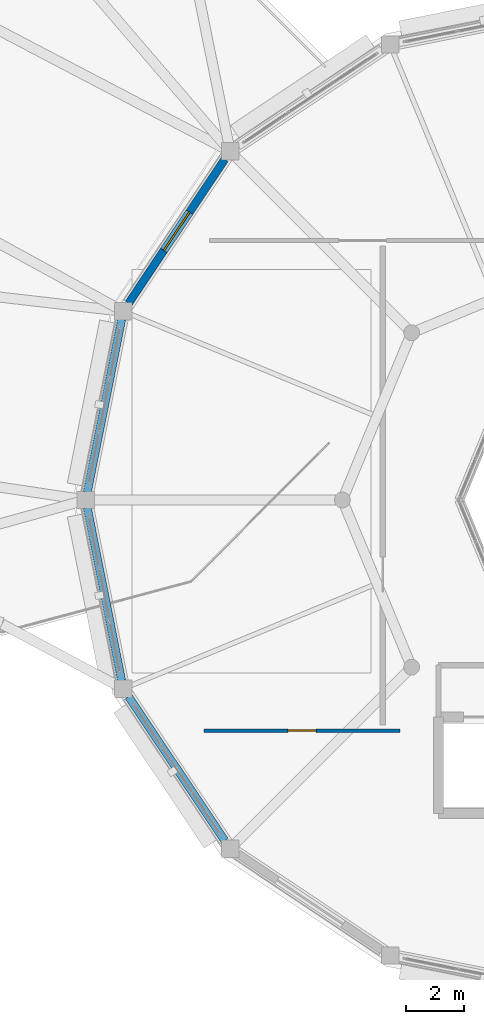
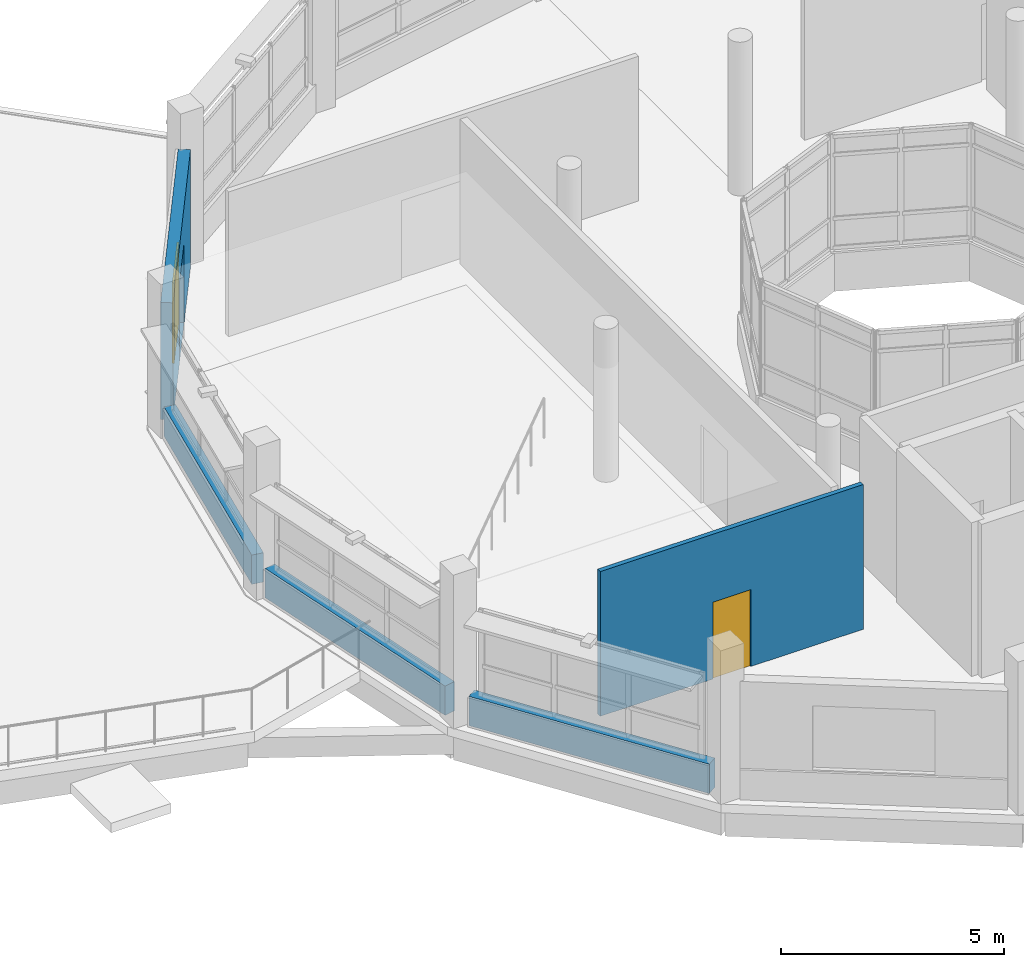
# One storey, part 110 of 128: 5 walls, 2 doors, 2 openings.
"""IFC4 building model written with IfcOpenShell, lengths in metres."""

from ifc_helpers import new_model, si_unit, direction, frame, frame_2d, origin, place, context, subcontext, project, spatial, rectangle, extrude, material, layer, layer_set, type_object, element, fill, save


model = new_model("IFC4")

# Units and contexts
model_context = context("Model", 3, precision=1e-05, world=origin(), true_north=direction((0.0, 1.0)))
body_context = subcontext(model_context, "Body", "Model", "MODEL_VIEW")
ifc_project = project(units=[si_unit("LENGTHUNIT", "METRE"), si_unit("AREAUNIT", "SQUARE_METRE"), si_unit("VOLUMEUNIT", "CUBIC_METRE"), si_unit("PLANEANGLEUNIT", "RADIAN"), si_unit("MASSUNIT", "GRAM", prefix="KILO")], contexts=[model_context])

# Site, building, storey
site_placement = place(None, origin())
site = spatial("IfcSite", under=ifc_project, at=site_placement, CompositionType="ELEMENT")
building_placement = place(site_placement, origin())
building = spatial("IfcBuilding", under=site, at=building_placement, Name="Vespera Passage Community Centre", CompositionType="ELEMENT")
storey_placement = place(building_placement, frame((0.0, 0.0, 4.5)))
storey = spatial("IfcBuildingStorey", under=building, at=storey_placement, Name="L01", CompositionType="ELEMENT", Elevation=4.5)

# Wall, opening, door
ifc_material_1 = material(Name="Precast concrete f'c 40 MPa", Category="concrete")
ifc_layer_1 = layer(ifc_material_1, 0.280029296875)
ifc_layer_set_1 = layer_set([ifc_layer_1], Name="Precast concrete f'c 40 MPa")
wall_type_1 = type_object("IfcWallType", Name="WT-EXT-280E", PredefinedType="STANDARD", material=ifc_layer_set_1)
wall_1_placement = place(storey_placement, frame((125.38818359375, 31.822998046875, 0.0), z_axis=(0.0, 0.0, 1.0), x_axis=(0.555573083966, 0.831467707354, 0.0)))
wall_1 = element("IfcWall", 1, at=wall_1_placement, inside=storey, type_object=wall_type_1, Name="V3 L01 Facade Wall 7", PredefinedType="STANDARD", context=body_context, shape_type="SweptSolid", body=[
    extrude(rectangle(XDim=6.00048828125, YDim=0.280029296875, at=frame_2d((3.000244140625, 0.0))), origin(), (0.0, 0.0, 1.0), 3.195068359375),
])
opening_1_placement = place(wall_1_placement, frame((2.2001953125, 0.0, 0.0)))
opening_1 = element("IfcOpeningElement", 2, at=opening_1_placement, cuts=wall_1, Name="Opening DT-E04", PredefinedType="OPENING", context=body_context, shape_type="SweptSolid", body=[
    extrude(rectangle(XDim=1.60009765625, YDim=2.199951171875, at=frame_2d((0.800048828125, 1.10009765625))), frame((0.0, 0.150146484375, 0.0), z_axis=(0.0, -1.0, 0.0), x_axis=(1.0, 0.0, 0.0)), (0.0, 0.0, 1.0), 0.300048828125),
])
ifc_material_2 = material(Name="Anodized aluminium 6063-T6", Category="aluminium")
door_type_1 = type_object("IfcDoorType", Name="DT-E04", OperationType="NOTDEFINED", PredefinedType="DOOR", material=ifc_material_2)
door_1_placement = place(opening_1_placement, origin())
door_1 = element("IfcDoor", 3, at=door_1_placement, inside=storey, type_object=door_type_1, Name="Cantilever-Shaded Cafe Terrace Access Door", OperationType="SINGLE_SWING_RIGHT", OverallHeight=2.199951171875, OverallWidth=1.60009765625, PredefinedType="DOOR", context=body_context, shape_type="SweptSolid", body=[
    extrude(rectangle(XDim=1.60009765625, YDim=2.199951171875, at=frame_2d((0.800048828125, 1.10009765625))), frame((0.0, 0.02490234375, 0.0), z_axis=(0.0, -1.0, 0.0), x_axis=(1.0, 0.0, 0.0)), (0.0, 0.0, 1.0), 0.050048828125),
])
fill(opening_1, door_1)

# Walls
for number, where, z_axis, x_axis, name in (
    (4, (123.954833984375, 25.275390625, 0.0), (0.0, 0.0, 1.0), (0.195101780047, 0.98078300119, 0.0), "V3 L01 Spandrel 8"),
    (5, (125.14697265625, 18.731689453125, 0.0), (0.0, 0.0, 1.0), (-0.195101780047, 0.98078300119, 0.0), "V3 L01 Spandrel 9"),
):
    element("IfcWall", number, at=place(storey_placement, frame(where, z_axis=z_axis, x_axis=x_axis)), inside=storey, type_object=wall_type_1, Name=name, PredefinedType="STANDARD", context=body_context, shape_type="SweptSolid", body=[
        extrude(rectangle(XDim=6.1103515625, YDim=0.280029296875, at=frame_2d((3.05517578125, 0.0))), origin(), (0.0, 0.0, 1.0), 0.800048828125),
    ])
wall_2_placement = place(storey_placement, frame((128.721923828125, 13.187744140625, 0.0), z_axis=(0.0, 0.0, 1.0), x_axis=(-0.555573083966, 0.831467707354, 0.0)))
element("IfcWall", 6, at=wall_2_placement, inside=storey, type_object=wall_type_1, Name="V3 L01 Spandrel 10", PredefinedType="STANDARD", context=body_context, shape_type="SweptSolid", body=[
    extrude(rectangle(XDim=6.00048828125, YDim=0.280029296875, at=frame_2d((3.000244140625, 0.0))), origin(), (0.0, 0.0, 1.0), 0.800048828125),
])

# Wall, opening, door
ifc_material_3 = material(Name="Moisture-resistant gypsum stud partition")
ifc_layer_2 = layer(ifc_material_3, 0.1201171875)
ifc_layer_set_2 = layer_set([ifc_layer_2], Name="Moisture-resistant gypsum stud partition")
wall_type_2 = type_object("IfcWallType", Name="WT-WET-120I", PredefinedType="PARTITIONING", material=ifc_layer_set_2)
wall_3_placement = place(storey_placement, frame((128.0, 17.0, 0.0), z_axis=(0.0, 0.0, 1.0), x_axis=(1.0, 0.0, 0.0)))
wall_3 = element("IfcWall", 7, at=wall_3_placement, inside=storey, type_object=wall_type_2, Name="L01 Interior Partition V3-L01-WCSW.1", PredefinedType="PARTITIONING", context=body_context, shape_type="SweptSolid", body=[
    extrude(rectangle(XDim=6.800048828125, YDim=0.1201171875, at=frame_2d((3.39990234375, 0.0))), origin(), (0.0, 0.0, 1.0), 3.955078125),
])
opening_2_placement = place(wall_3_placement, frame((2.909912109375, 0.0, 0.0)))
opening_2 = element("IfcOpeningElement", 8, at=opening_2_placement, cuts=wall_3, Name="Opening DT-INT-98", PredefinedType="OPENING", context=body_context, shape_type="SweptSolid", body=[
    extrude(rectangle(XDim=0.97998046875, YDim=2.10009765625, at=frame_2d((0.489990234375, 1.050048828125))), frame((0.0, 0.070068359375, 0.0), z_axis=(0.0, -1.0, 0.0), x_axis=(1.0, 0.0, 0.0)), (0.0, 0.0, 1.0), 0.14013671875),
])
ifc_material_4 = material(Name="Solid-core maple veneer door", Category="wood")
door_type_2 = type_object("IfcDoorType", Name="DT-INT-98", OperationType="NOTDEFINED", PredefinedType="DOOR", material=ifc_material_4)
door_2_placement = place(opening_2_placement, origin())
door_2 = element("IfcDoor", 9, at=door_2_placement, inside=storey, type_object=door_type_2, Name="L01 Interior Door D-365", OperationType="SINGLE_SWING_LEFT", OverallHeight=2.10009765625, OverallWidth=0.97998046875, PredefinedType="DOOR", context=body_context, shape_type="SweptSolid", body=[
    extrude(rectangle(XDim=0.97998046875, YDim=2.10009765625, at=frame_2d((0.489990234375, 1.050048828125))), frame((0.0, 0.02490234375, 0.0), z_axis=(0.0, -1.0, 0.0), x_axis=(1.0, 0.0, 0.0)), (0.0, 0.0, 1.0), 0.050048828125),
])
fill(opening_2, door_2)

save(model, "model.ifc")
